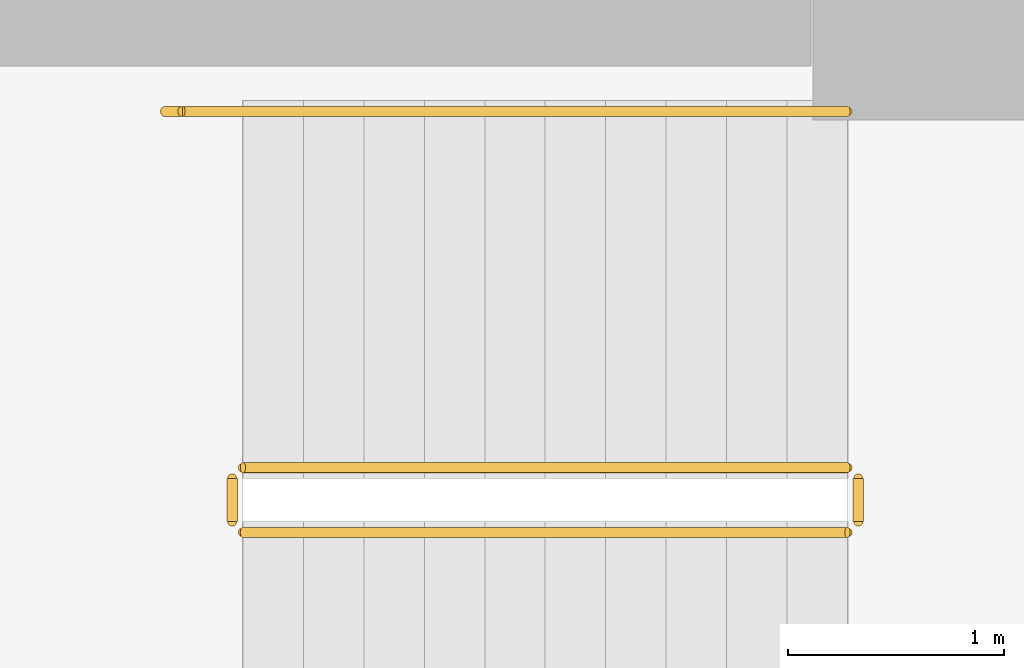
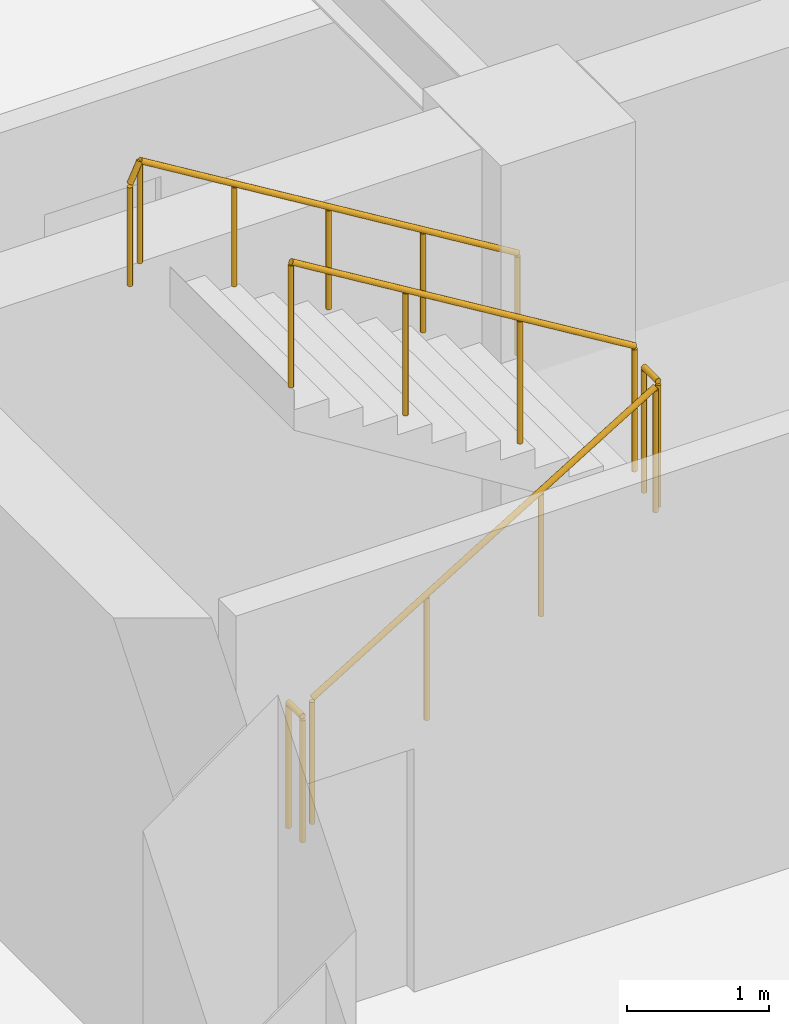
# One storey, part 25 of 26: 5 railings.
"""IFC4 building model written with IfcOpenShell, lengths in metres."""

import ifcopenshell
import ifcopenshell.guid

model = None  # the IFC model being written
_history = None  # IfcOwnerHistory: only IFC2X3 demands one
_inside = {}  # id of a spatial element -> (the spatial element, [elements in it])
_under = {}  # id of a project, library or spatial element -> (it, [spatial elements below it])
_declared = {}  # id of a project -> (the project, [libraries it declares])
_typed = {}  # id of a type object -> (the type object, [elements of that type])
_made_of = {}  # id of a material, layer set ... -> (it, [elements and type objects made of it])


def new_model(schema):
    """Start an empty IFC model of exactly this schema.

    Asked for "IFC4X3", IfcOpenShell would pick the latest addendum, in which some entities
    have other attributes; the version numbers below select the first issue.
    IFC2X3 requires an IfcOwnerHistory on every rooted entity: one is made here for all.
    """
    global model, _history
    if schema == "IFC4X3":
        model = ifcopenshell.file(schema_version=(4, 3, 0, 0))
    else:
        model = ifcopenshell.file(schema=schema)
    _inside.clear()
    _under.clear()
    _declared.clear()
    _typed.clear()
    _made_of.clear()
    _history = None
    if model.schema == "IFC2X3":
        org = make("IfcOrganization", Name="unknown")
        user = make(
            "IfcPersonAndOrganization",
            ThePerson=make("IfcPerson", FamilyName="unknown"),
            TheOrganization=org,
        )
        app = make(
            "IfcApplication",
            ApplicationDeveloper=org,
            Version="unknown",
            ApplicationFullName="unknown",
            ApplicationIdentifier="unknown",
        )
        _history = make(
            "IfcOwnerHistory",
            OwningUser=user,
            OwningApplication=app,
            ChangeAction="ADDED",
            CreationDate=0,
        )
    return model


def make(cls, **values):
    """One entity of the class cls with the attributes given. An attribute that is None is left unset."""
    return model.create_entity(
        cls, **{name: value for name, value in values.items() if value is not None}
    )


def rooted(cls, **values):
    """An entity with a GlobalId (a new one), such as an element, a storey or a relation."""
    return make(cls, GlobalId=ifcopenshell.guid.new(), OwnerHistory=_history, **values)


def si_unit(unit_type, name, prefix=None):
    """IfcSIUnit, for example si_unit("LENGTHUNIT", "METRE", prefix="MILLI")."""
    return make("IfcSIUnit", UnitType=unit_type, Prefix=prefix, Name=name)


def assignment(units):
    """IfcUnitAssignment: the units of a project."""
    return None if units is None else make("IfcUnitAssignment", Units=units)


def point(xyz):
    """IfcCartesianPoint."""
    return None if xyz is None else make("IfcCartesianPoint", Coordinates=xyz)


def direction(xyz):
    """IfcDirection."""
    return None if xyz is None else make("IfcDirection", DirectionRatios=xyz)


def frame(location, z_axis=None, x_axis=None):
    """IfcAxis2Placement3D, a coordinate frame: its origin and axes. An axis left out is left unset."""
    return make(
        "IfcAxis2Placement3D",
        Location=point(location),
        Axis=direction(z_axis),
        RefDirection=direction(x_axis),
    )


def frame_2d(location, x_axis=None):
    """IfcAxis2Placement2D, a coordinate frame in the plane: its origin and x axis."""
    return make(
        "IfcAxis2Placement2D", Location=point(location), RefDirection=direction(x_axis)
    )


def origin():
    """The frame at (0, 0, 0) with its axes left unset."""
    return frame((0.0, 0.0, 0.0))


def origin_2d():
    """The frame at (0, 0) in the plane with its x axis left unset."""
    return frame_2d((0.0, 0.0))


def place(relative_to, where):
    """IfcLocalPlacement: puts the frame where relative to a parent placement (None: the world)."""
    return make(
        "IfcLocalPlacement", PlacementRelTo=relative_to, RelativePlacement=where
    )


def context(
    kind, dimensions, precision=None, world=None, true_north=None, identifier=None
):
    """IfcGeometricRepresentationContext, for example the 3D "Model" context."""
    return make(
        "IfcGeometricRepresentationContext",
        ContextIdentifier=identifier,
        ContextType=kind,
        CoordinateSpaceDimension=dimensions,
        Precision=precision,
        WorldCoordinateSystem=world,
        TrueNorth=true_north,
    )


def subcontext(parent, identifier, kind, view, scale=None):
    """IfcGeometricRepresentationSubContext, for example "Body" below "Model"."""
    return make(
        "IfcGeometricRepresentationSubContext",
        ContextIdentifier=identifier,
        ContextType=kind,
        ParentContext=parent,
        TargetScale=scale,
        TargetView=view,
    )


def project(units=None, contexts=None):
    """IfcProject with its units and contexts."""
    return rooted(
        "IfcProject",
        Name="project",
        RepresentationContexts=contexts,
        UnitsInContext=assignment(units),
    )


def spatial(cls, under=None, at=None, **own):
    """A site, building, storey or space (cls), placed at a placement, below another one or the project."""
    s = rooted(cls, ObjectPlacement=at, **own)
    if under is not None:
        _under.setdefault(under.id(), (under, []))[1].append(s)
    return s


def profile(cls, at=None, kind="AREA", **sizes):
    """A parametric profile (cls). Its sizes go by their IFC names, for example OverallWidth=200.0."""
    return make(cls, ProfileType=kind, Position=at, **sizes)


def circle(**sizes):
    """IfcCircleProfileDef."""
    return profile("IfcCircleProfileDef", **sizes)


def extrude(swept, where, along, depth):
    """IfcExtrudedAreaSolid: the profile swept, set in the frame where, extruded along a direction by depth."""
    return make(
        "IfcExtrudedAreaSolid",
        SweptArea=swept,
        Position=where,
        ExtrudedDirection=direction(along),
        Depth=depth,
    )


def shape(context_of_items, identifier, shape_type, items):
    """IfcShapeRepresentation: the items that make up one representation, for example the "Body"."""
    return make(
        "IfcShapeRepresentation",
        ContextOfItems=context_of_items,
        RepresentationIdentifier=identifier,
        RepresentationType=shape_type,
        Items=items,
    )


def material(Name=None, Category=None):
    """IfcMaterial."""
    return make("IfcMaterial", Name=Name, Category=Category)


def made_of(thing, what):
    """Note that an element or type object is made of a material, layer set ...; save() writes the relation."""
    if what is not None:
        _made_of.setdefault(what.id(), (what, []))[1].append(thing)
    return thing


def type_object(cls, material=None, **own):
    """A type object (cls), such as IfcWallType, which elements share."""
    return made_of(rooted(cls, **own), material)


def element(
    cls,
    number,
    at=None,
    inside=None,
    cuts=None,
    type_object=None,
    material=None,
    context=None,
    identifier="Body",
    shape_type=None,
    held_by="IfcProductDefinitionShape",
    body=None,
    shapes=None,
    **own,
):
    """One element of the class cls, such as IfcWall. Its Tag is "e" and its number.

    at: its placement. inside: the storey or other place that contains it. cuts: it is an
    opening in that element (IfcRelVoidsElement). A single representation is given by context,
    identifier, shape_type and body (its items); several are given by shapes. held_by: the class
    of the entity that holds the representations. save() writes the other relations.
    """
    e = rooted(cls, Tag="e%d" % number, ObjectPlacement=at, **own)
    if body is not None:
        shapes = [shape(context, identifier, shape_type, body)]
    if shapes is not None:
        e.Representation = make(held_by, Representations=shapes)
    if inside is not None:
        _inside.setdefault(inside.id(), (inside, []))[1].append(e)
    if cuts is not None:
        rooted(
            "IfcRelVoidsElement", RelatingBuildingElement=cuts, RelatedOpeningElement=e
        )
    if type_object is not None:
        _typed.setdefault(type_object.id(), (type_object, []))[1].append(e)
    return made_of(e, material)


def aggregate(whole, parts):
    """IfcRelAggregates: a whole, such as a stair, and the parts it consists of."""
    return rooted("IfcRelAggregates", RelatingObject=whole, RelatedObjects=parts)


def save(model, path):
    """Write the relations noted so far, then the file.

    IfcRelAggregates (storeys below a building ...), IfcRelContainedInSpatialStructure (elements
    in a storey), IfcRelDefinesByType, IfcRelAssociatesMaterial and IfcRelDeclares: one each for
    every whole, place, type object, material and project.
    """
    for whole, parts in _under.values():
        aggregate(whole, parts)
    for where, things in _inside.values():
        rooted(
            "IfcRelContainedInSpatialStructure",
            RelatedElements=things,
            RelatingStructure=where,
        )
    for kind, things in _typed.values():
        rooted("IfcRelDefinesByType", RelatedObjects=things, RelatingType=kind)
    for what, things in _made_of.values():
        rooted("IfcRelAssociatesMaterial", RelatedObjects=things, RelatingMaterial=what)
    for by, libraries in _declared.values():
        rooted("IfcRelDeclares", RelatingContext=by, RelatedDefinitions=libraries)
    model.write(path)


model = new_model("IFC4")

# Units and contexts
model_context = context("Model", 3, precision=1e-05, world=origin(), true_north=direction((0.0, 1.0)))
body_context = subcontext(model_context, "Body", "Model", "MODEL_VIEW")
ifc_project = project(units=[si_unit("LENGTHUNIT", "METRE"), si_unit("AREAUNIT", "SQUARE_METRE"), si_unit("VOLUMEUNIT", "CUBIC_METRE"), si_unit("PLANEANGLEUNIT", "RADIAN"), si_unit("MASSUNIT", "GRAM", prefix="KILO")], contexts=[model_context])

# Site, building, storey
site_placement = place(None, origin())
site = spatial("IfcSite", under=ifc_project, at=site_placement, CompositionType="ELEMENT")
building_placement = place(site_placement, origin())
building = spatial("IfcBuilding", under=site, at=building_placement, Name="Surkhivell Harbour Commons", CompositionType="ELEMENT")
storey_placement = place(building_placement, frame((0.0, 0.0, 147.0)))
storey = spatial("IfcBuildingStorey", under=building, at=storey_placement, Name="L38", CompositionType="ELEMENT", Elevation=147.0)

# Railings
ifc_material_1 = material(Name="Galvanised and painted steel S355 guard rail", Category="steel")
railing_type_1 = type_object("IfcRailingType", Name="RAL-ST-GRD1100", PredefinedType="GUARDRAIL", material=ifc_material_1)
railing_1_placement = place(storey_placement, frame((-8.590087890625, 8.340087890625, 0.17041015625)))
element("IfcRailing", 1, at=railing_1_placement, inside=storey, type_object=railing_type_1, Name="L38 ST1 stair guard 1", PredefinedType="GUARDRAIL", context=body_context, shape_type="SweptSolid", body=[
    extrude(circle(Radius=0.02392578125, at=origin_2d()), frame((0.0, 0.0, 1.076171875), z_axis=(0.854169791009, 0.0, 0.51999420009), x_axis=(0.0, 1.0, 0.0)), (0.0, 0.0, 1.0), 3.278076171875),
    extrude(circle(Radius=0.02099609375, at=origin_2d()), origin(), (0.0, 0.0, 1.0), 1.052001953125),
    extrude(circle(Radius=0.02099609375, at=origin_2d()), frame((0.933349609375, 0.0, 0.568115234375)), (0.0, 0.0, 1.0), 1.052001953125),
    extrude(circle(Radius=0.02099609375, at=origin_2d()), frame((1.86669921875, 0.0, 1.136474609375)), (0.0, 0.0, 1.0), 1.052001953125),
    extrude(circle(Radius=0.02099609375, at=origin_2d()), frame((2.800048828125, 0.0, 1.70458984375)), (0.0, 0.0, 1.0), 1.052001953125),
])
railing_2_placement = place(storey_placement, frame((-5.739990234375, 8.389892578125, 1.875)))
element("IfcRailing", 2, at=railing_2_placement, inside=storey, type_object=railing_type_1, Name="L38 ST1 stair guard 2", PredefinedType="GUARDRAIL", context=body_context, shape_type="SweptSolid", body=[
    extrude(circle(Radius=0.02392578125, at=origin_2d()), frame((0.0, 0.0, 1.076171875), z_axis=(0.0, 1.0, 0.0), x_axis=(-1.0, 0.0, 0.0)), (0.0, 0.0, 1.0), 0.2001953125),
    extrude(circle(Radius=0.02099609375, at=origin_2d()), origin(), (0.0, 0.0, 1.0), 1.052001953125),
    extrude(circle(Radius=0.02099609375, at=origin_2d()), frame((0.0, 0.2001953125, 0.0)), (0.0, 0.0, 1.0), 1.052001953125),
])
railing_3_placement = place(storey_placement, frame((-5.7900390625, 8.639892578125, 2.04541015625)))
element("IfcRailing", 3, at=railing_3_placement, inside=storey, type_object=railing_type_1, Name="L38 ST1 stair guard 3", PredefinedType="GUARDRAIL", context=body_context, shape_type="SweptSolid", body=[
    extrude(circle(Radius=0.02392578125, at=origin_2d()), frame((0.0, 0.0, 1.076171875), z_axis=(-0.854169791009, 0.0, 0.51999420009), x_axis=(0.0, -1.0, 0.0)), (0.0, 0.0, 1.0), 3.278076171875),
    extrude(circle(Radius=0.02099609375, at=origin_2d()), origin(), (0.0, 0.0, 1.0), 1.052001953125),
    extrude(circle(Radius=0.02099609375, at=origin_2d()), frame((-0.933349609375, 0.0, 0.568115234375)), (0.0, 0.0, 1.0), 1.052001953125),
    extrude(circle(Radius=0.02099609375, at=origin_2d()), frame((-1.86669921875, 0.0, 1.136474609375)), (0.0, 0.0, 1.0), 1.052001953125),
    extrude(circle(Radius=0.02099609375, at=origin_2d()), frame((-2.800048828125, 0.0, 1.70458984375)), (0.0, 0.0, 1.0), 1.052001953125),
])
railing_4_placement = place(storey_placement, frame((-8.639892578125, 8.389892578125, 0.0)))
element("IfcRailing", 4, at=railing_4_placement, inside=storey, type_object=railing_type_1, Name="L38 ST1 stair guard 4", PredefinedType="GUARDRAIL", context=body_context, shape_type="SweptSolid", body=[
    extrude(circle(Radius=0.02392578125, at=origin_2d()), frame((0.0, 0.0, 1.076171875), z_axis=(0.0, 1.0, 0.0), x_axis=(-1.0, 0.0, 0.0)), (0.0, 0.0, 1.0), 0.2001953125),
    extrude(circle(Radius=0.02099609375, at=origin_2d()), origin(), (0.0, 0.0, 1.0), 1.052001953125),
    extrude(circle(Radius=0.02099609375, at=origin_2d()), frame((0.0, 0.2001953125, 0.0)), (0.0, 0.0, 1.0), 1.052001953125),
])
ifc_material_2 = material(Name="Brushed stainless steel S355 handrail", Category="steel")
railing_type_2 = type_object("IfcRailingType", Name="RAL-ST-HND900", PredefinedType="HANDRAIL", material=ifc_material_2)
railing_5_placement = place(storey_placement, frame((-5.7900390625, 10.2900390625, 2.04541015625)))
element("IfcRailing", 5, at=railing_5_placement, inside=storey, type_object=railing_type_2, Name="L38 ST1 stair handrail 2", PredefinedType="HANDRAIL", context=body_context, shape_type="SweptSolid", body=[
    extrude(circle(Radius=0.02392578125, at=origin_2d()), frame((0.0, 0.0, 0.8759765625), z_axis=(-0.854177636135, 0.0, 0.519981313056), x_axis=(0.0, -1.0, 0.0)), (0.0, 0.0, 1.0), 3.60595703125),
    extrude(circle(Radius=0.02392578125, at=origin_2d()), frame((-3.080078125, 0.0, 2.7509765625), z_axis=(-0.424234432967, 0.0, -0.905552398199), x_axis=(0.0, -1.0, 0.0)), (0.0, 0.0, 1.0), 0.188232421875),
    extrude(circle(Radius=0.02099609375, at=origin_2d()), origin(), (0.0, 0.0, 1.0), 0.851806640625),
    extrude(circle(Radius=0.02099609375, at=origin_2d()), frame((-0.77001953125, 0.0, 0.46875)), (0.0, 0.0, 1.0), 0.851806640625),
    extrude(circle(Radius=0.02099609375, at=origin_2d()), frame((-1.5400390625, 0.0, 0.9375)), (0.0, 0.0, 1.0), 0.851806640625),
    extrude(circle(Radius=0.02099609375, at=origin_2d()), frame((-2.31005859375, 0.0, 1.40625)), (0.0, 0.0, 1.0), 0.851806640625),
    extrude(circle(Radius=0.02099609375, at=origin_2d()), frame((-3.080078125, 0.0, 1.875)), (0.0, 0.0, 1.0), 0.851806640625),
    extrude(circle(Radius=0.02099609375, at=origin_2d()), frame((-3.159912109375, 0.0, 1.70458984375)), (0.0, 0.0, 1.0), 0.851806640625),
])

save(model, "model.ifc")
